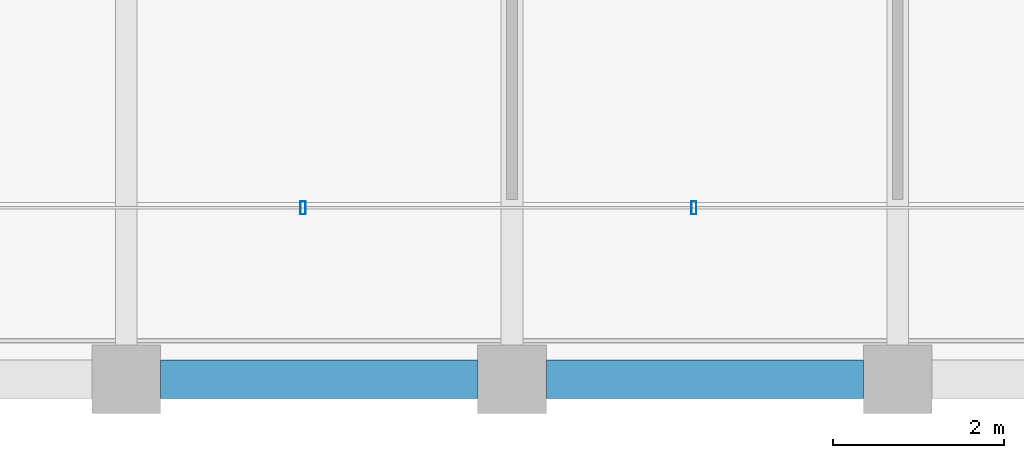
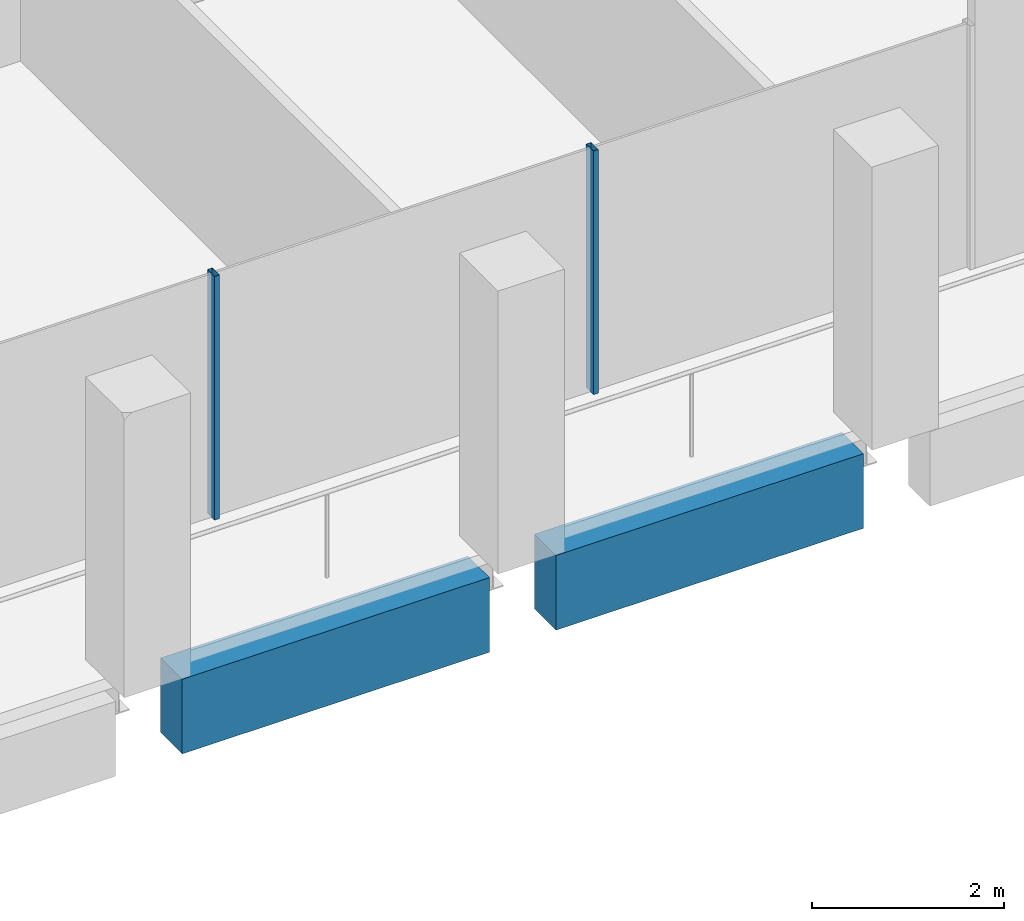
# One storey, part 3 of 30: 2 beams, 2 members, 1 element without a shape of its own.
"""IFC4 building model written with IfcOpenShell, lengths in metres."""

from ifc_helpers import new_model, si_unit, direction, frame, origin, origin_2d, place, context, subcontext, project, spatial, rectangle, hollow_rectangle, extrude, material, material_profile, profile_set, type_object, element, aggregate, save


model = new_model("IFC4")

# Units and contexts
model_context = context("Model", 3, precision=1e-05, world=origin(), true_north=direction((0.0, 1.0)))
body_context = subcontext(model_context, "Body", "Model", "MODEL_VIEW")
ifc_project = project(units=[si_unit("LENGTHUNIT", "METRE"), si_unit("AREAUNIT", "SQUARE_METRE"), si_unit("VOLUMEUNIT", "CUBIC_METRE"), si_unit("PLANEANGLEUNIT", "RADIAN"), si_unit("MASSUNIT", "GRAM", prefix="KILO")], contexts=[model_context])

# Site, building, storey
site_placement = place(None, origin())
site = spatial("IfcSite", under=ifc_project, at=site_placement, CompositionType="ELEMENT")
building_placement = place(site_placement, origin())
building = spatial("IfcBuilding", under=site, at=building_placement, Name="Altepetl Exchange Towers", CompositionType="ELEMENT")
storey_placement = place(building_placement, frame((0.0, 0.0, 235.199951171875)))
storey = spatial("IfcBuildingStorey", under=building, at=storey_placement, Name="L60", CompositionType="ELEMENT", Elevation=235.199951171875)

# Curtain wall, members
ifc_material_1 = material(Name="Aluminium 6063-T6 glazing", Category="aluminium")
curtain_wall_type = type_object("IfcCurtainWallType", Name="Loggia glazing system", PredefinedType="NOTDEFINED", material=ifc_material_1)
curtain_wall_placement = place(storey_placement, origin())
curtain_wall = element("IfcCurtainWall", 1, at=curtain_wall_placement, inside=storey, type_object=curtain_wall_type, Name="CW1 run", PredefinedType="NOTDEFINED")
ifc_material_2 = material(Name="Aluminium 6063-T6", Category="aluminium")
ifc_material_profile_1 = material_profile(ifc_material_2, hollow_rectangle(XDim=0.06005859375, YDim=0.14990234375, WallThickness=0.0029296875, at=origin_2d()), Name="Mullion 60x150 aluminium")
ifc_profile_set_1 = profile_set([ifc_material_profile_1], Name="Aluminium 6063-T6")
member_type = type_object("IfcMemberType", Name="Mullion 60x150 aluminium", PredefinedType="MULLION", material=ifc_profile_set_1)
member_1_placement = place(storey_placement, frame((38.060791015625, 29.0, 0.0)))
member_1 = element("IfcMember", 2, at=member_1_placement, type_object=member_type, Name="MU1 mullion", PredefinedType="MULLION", context=body_context, shape_type="SweptSolid", body=[
    extrude(hollow_rectangle(XDim=0.06005859375, YDim=0.14990234375, WallThickness=0.0029296875, at=origin_2d()), origin(), (0.0, 0.0, 1.0), 3.10009765625),
])
member_2_placement = place(storey_placement, frame((42.621337890625, 29.0, 0.0)))
member_2 = element("IfcMember", 3, at=member_2_placement, type_object=member_type, Name="MU1 mullion", PredefinedType="MULLION", context=body_context, shape_type="SweptSolid", body=[
    extrude(hollow_rectangle(XDim=0.06005859375, YDim=0.14990234375, WallThickness=0.0029296875, at=origin_2d()), origin(), (0.0, 0.0, 1.0), 3.10009765625),
])
aggregate(curtain_wall, [member_1, member_2])

# Beams
ifc_material_3 = material(Name="Concrete C50/60 precast with cantera blanca facing", Category="concrete")
ifc_material_profile_2 = material_profile(ifc_material_3, rectangle(XDim=0.449951171875, YDim=0.949951171875, at=origin_2d()), Name="450 x 950")
ifc_profile_set_2 = profile_set([ifc_material_profile_2], Name="Concrete C50/60 precast with cantera blanca facing")
beam_type = type_object("IfcBeamType", Name="Spandrel beam 450x950 cantera blanca", PredefinedType="SPANDREL", material=ifc_profile_set_2)
for number, where, z_axis, x_axis, name in (
    (4, (36.39990234375, 27.0, -0.625), (1.0, 0.0, 0.0), (0.0, 1.0, 0.0), "sp:A:L60:001"),
    (5, (40.89990234375, 27.0, -0.625), (1.0, 0.0, 0.0), (0.0, 1.0, 0.0), "sp:A:L60:002"),
):
    element("IfcBeam", number, at=place(storey_placement, frame(where, z_axis=z_axis, x_axis=x_axis)), inside=storey, type_object=beam_type, Name=name, PredefinedType="SPANDREL", context=body_context, shape_type="SweptSolid", body=[
        extrude(rectangle(XDim=0.449951171875, YDim=0.949951171875, at=origin_2d()), origin(), (0.0, 0.0, 1.0), 3.7001953125),
    ])

save(model, "model.ifc")
